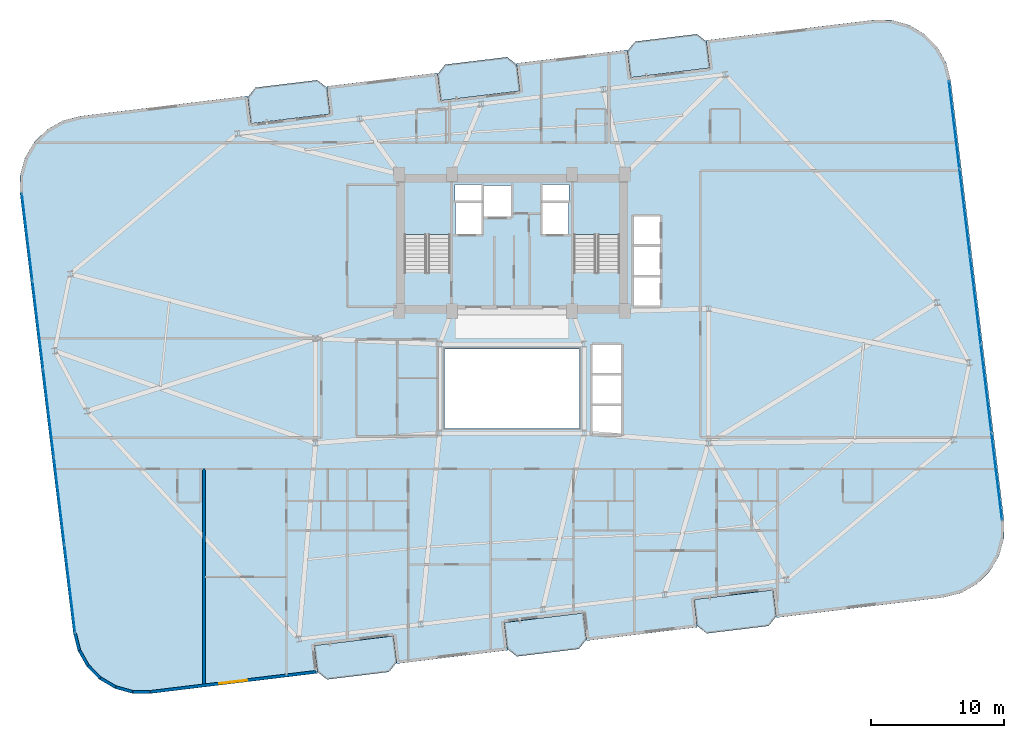
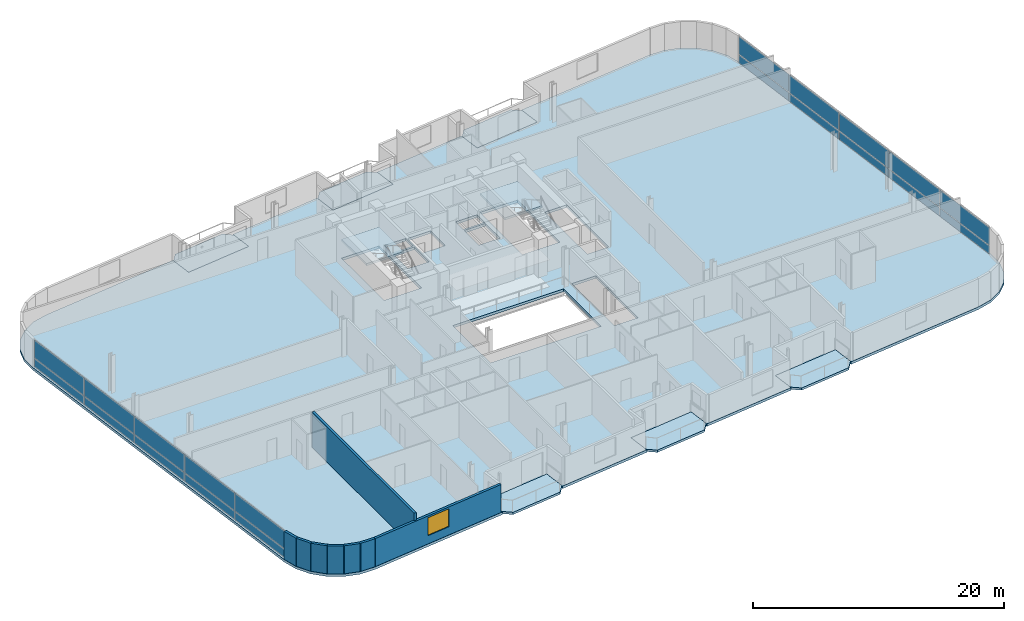
# One storey, part 13 of 23: 20 plates, 9 slabs, 8 walls, 1 window, 1 opening, 4 elements without a shape of their own.
"""IFC4 building model written with IfcOpenShell, lengths in metres."""

from ifc_helpers import new_model, si_unit, direction, frame, frame_2d, origin, origin_2d, place, context, subcontext, project, spatial, polyline, rectangle, outline, extrude, source, transform, mapped, material, layer, layer_set, type_object, element, fill, aggregate, save


model = new_model("IFC4")

# Units and contexts
model_context = context("Model", 3, precision=1e-05, world=origin(), true_north=direction((0.0, 1.0)))
body_context = subcontext(model_context, "Body", "Model", "MODEL_VIEW")
ifc_project = project(units=[si_unit("LENGTHUNIT", "METRE"), si_unit("AREAUNIT", "SQUARE_METRE"), si_unit("VOLUMEUNIT", "CUBIC_METRE"), si_unit("PLANEANGLEUNIT", "RADIAN"), si_unit("MASSUNIT", "GRAM", prefix="KILO")], contexts=[model_context])

# Site, building, storey
site_placement = place(None, origin())
site = spatial("IfcSite", under=ifc_project, at=site_placement, CompositionType="ELEMENT")
building_placement = place(site_placement, origin())
building = spatial("IfcBuilding", under=site, at=building_placement, Name="Varnelok Gate Tower", CompositionType="ELEMENT")
storey_placement = place(building_placement, frame((0.0, 0.0, 170.89990234375)))
storey = spatial("IfcBuildingStorey", under=building, at=storey_placement, Name="L43", CompositionType="ELEMENT", Elevation=170.89990234375)

# Slabs
ifc_material_1 = material(Name="Concrete C45/55", Category="concrete")
ifc_layer_1 = layer(ifc_material_1, 0.219970703125)
ifc_layer_set_1 = layer_set([ifc_layer_1], Name="Concrete C45/55")
slab_type_1 = type_object("IfcSlabType", Name="SLB-BALC-220", PredefinedType="FLOOR", material=ifc_layer_set_1)
slab_1_placement = place(storey_placement, frame((0.0, 0.0, -0.219970703125)))
element("IfcSlab", 1, at=slab_1_placement, inside=storey, type_object=slab_type_1, Name="L43 South Hollow Balcony 1", PredefinedType="FLOOR", context=body_context, shape_type="SweptSolid", body=[
    extrude(outline(polyline([(24.550048828125, 1.564453125), (25.2734375, 0.997314453125), (29.939208984375, 1.56298828125), (30.50634765625, 2.28662109375), (30.265625, 4.27197265625), (24.309326171875, 3.5498046875), (24.550048828125, 1.564453125)])), origin(), (0.0, 0.0, 1.0), 0.219970703125),
])
slab_2_placement = place(storey_placement, frame((0.0, 0.0, -0.219970703125)))
element("IfcSlab", 2, at=slab_2_placement, inside=storey, type_object=slab_type_1, Name="L43 South Hollow Balcony 2", PredefinedType="FLOOR", context=body_context, shape_type="SweptSolid", body=[
    extrude(outline(polyline([(38.84521484375, 3.29736328125), (39.56884765625, 2.73046875), (44.234619140625, 3.2958984375), (44.8017578125, 4.01953125), (44.56103515625, 6.0048828125), (38.6044921875, 5.282958984375), (38.84521484375, 3.29736328125)])), origin(), (0.0, 0.0, 1.0), 0.219970703125),
])
slab_3_placement = place(storey_placement, frame((0.0, 0.0, -0.219970703125)))
element("IfcSlab", 3, at=slab_3_placement, inside=storey, type_object=slab_type_1, Name="L43 South Hollow Balcony 3", PredefinedType="FLOOR", context=body_context, shape_type="SweptSolid", body=[
    extrude(outline(polyline([(53.140625, 5.030517578125), (53.8642578125, 4.46337890625), (58.530029296875, 5.02880859375), (59.09716796875, 5.75244140625), (58.8564453125, 7.73779296875), (52.89990234375, 7.015869140625), (53.140625, 5.030517578125)])), origin(), (0.0, 0.0, 1.0), 0.219970703125),
])
slab_4_placement = place(storey_placement, frame((0.0, 0.0, -0.219970703125)))
element("IfcSlab", 4, at=slab_4_placement, inside=storey, type_object=slab_type_1, Name="L43 North Hollow Balcony 1", PredefinedType="FLOOR", context=body_context, shape_type="SweptSolid", body=[
    extrude(outline(polyline([(19.543701171875, 42.862060546875), (25.5, 43.584228515625), (25.25927734375, 45.569580078125), (24.535888671875, 46.13671875), (19.8701171875, 45.571044921875), (19.302978515625, 44.84765625), (19.543701171875, 42.862060546875)])), origin(), (0.0, 0.0, 1.0), 0.219970703125),
])
slab_5_placement = place(storey_placement, frame((0.0, 0.0, -0.219970703125)))
element("IfcSlab", 5, at=slab_5_placement, inside=storey, type_object=slab_type_1, Name="L43 North Hollow Balcony 2", PredefinedType="FLOOR", context=body_context, shape_type="SweptSolid", body=[
    extrude(outline(polyline([(33.839111328125, 44.59521484375), (39.79541015625, 45.317138671875), (39.5546875, 47.302490234375), (38.831298828125, 47.86962890625), (34.165283203125, 47.303955078125), (33.598388671875, 46.58056640625), (33.839111328125, 44.59521484375)])), origin(), (0.0, 0.0, 1.0), 0.219970703125),
])
slab_6_placement = place(storey_placement, frame((0.0, 0.0, -0.219970703125)))
element("IfcSlab", 6, at=slab_6_placement, inside=storey, type_object=slab_type_1, Name="L43 North Hollow Balcony 3", PredefinedType="FLOOR", context=body_context, shape_type="SweptSolid", body=[
    extrude(outline(polyline([(48.13427734375, 46.327880859375), (54.0908203125, 47.050048828125), (53.85009765625, 49.03564453125), (53.12646484375, 49.6025390625), (48.460693359375, 49.037109375), (47.8935546875, 48.3134765625), (48.13427734375, 46.327880859375)])), origin(), (0.0, 0.0, 1.0), 0.219970703125),
])

# Stair, slab
ifc_material_2 = material(Name="Concrete C50/60", Category="concrete")
stair_type = type_object("IfcStairType", Name="STR-CORE-1650", PredefinedType="HALF_TURN_STAIR", material=ifc_material_2)
stair_1_placement = place(storey_placement, origin())
stair_1 = element("IfcStair", 7, at=stair_1_placement, inside=storey, type_object=stair_type, Name="L43 Exit Stair ST-1", PredefinedType="HALF_TURN_STAIR")
ifc_layer_2 = layer(ifc_material_1, 0.199951171875)
ifc_layer_set_2 = layer_set([ifc_layer_2], Name="Concrete C45/55")
slab_type_2 = type_object("IfcSlabType", Name="SLB-LAND-200", PredefinedType="LANDING", material=ifc_layer_set_2)
slab_7_placement = place(storey_placement, frame((0.0, 0.0, 1.650146484375)))
slab_7 = element("IfcSlab", 8, at=slab_7_placement, type_object=slab_type_2, Name="ST-1 landing 1", PredefinedType="LANDING", context=body_context, shape_type="SweptSolid", body=[
    extrude(outline(polyline([(34.550048828125, 34.5), (34.550048828125, 38.449951171875), (31.10009765625, 38.449951171875), (31.10009765625, 34.5), (34.550048828125, 34.5)])), origin(), (0.0, 0.0, 1.0), 0.199951171875),
])
aggregate(stair_1, [slab_7])

stair_2_placement = place(storey_placement, origin())
stair_2 = element("IfcStair", 9, at=stair_2_placement, inside=storey, type_object=stair_type, Name="L43 Exit Stair ST-2", PredefinedType="HALF_TURN_STAIR")
slab_8_placement = place(storey_placement, frame((0.0, 0.0, 1.650146484375)))
slab_8 = element("IfcSlab", 10, at=slab_8_placement, type_object=slab_type_2, Name="ST-2 landing 1", PredefinedType="LANDING", context=body_context, shape_type="SweptSolid", body=[
    extrude(outline(polyline([(47.300048828125, 34.5), (47.300048828125, 38.449951171875), (43.85009765625, 38.449951171875), (43.85009765625, 34.5), (47.300048828125, 34.5)])), origin(), (0.0, 0.0, 1.0), 0.199951171875),
])
aggregate(stair_2, [slab_8])

# Slab
ifc_layer_3 = layer(ifc_material_2, 0.25)
ifc_layer_set_3 = layer_set([ifc_layer_3], Name="Concrete C50/60")
slab_type_3 = type_object("IfcSlabType", Name="SLB-TYP-250", PredefinedType="FLOOR", material=ifc_layer_set_3)
slab_9_placement = place(storey_placement, frame((0.0, 0.0, -0.25)))
element("IfcSlab", 11, at=slab_9_placement, inside=storey, type_object=slab_type_3, Name="L43 Structural Floor Slab", PredefinedType="FLOOR", context=body_context, shape_type="SweptSolid", body=[
    extrude(outline(polyline([(6.166259765625, 4.47314453125), (6.504150390625, 3.158447265625), (7.1708984375, 1.975830078125), (8.120849609375, 1.006103515625), (9.289306640625, 0.3154296875), (10.596923828125, -0.04931640625), (11.954345703125, -0.063232421875), (22.87451171875, 1.260498046875), (24.56201171875, 1.465087890625), (24.309326171875, 3.5498046875), (30.265625, 4.27197265625), (30.518310546875, 2.187255859375), (38.857421875, 3.197998046875), (38.6044921875, 5.282958984375), (44.56103515625, 6.0048828125), (44.813720703125, 3.920166015625), (53.152587890625, 4.93115234375), (52.89990234375, 7.015869140625), (58.8564453125, 7.73779296875), (59.109130859375, 5.6533203125), (60.796630859375, 5.85791015625), (71.716796875, 7.181396484375), (73.031494140625, 7.519287109375), (74.214111328125, 8.18603515625), (75.183837890625, 9.135986328125), (75.87451171875, 10.3046875), (76.2392578125, 11.612060546875), (76.253173828125, 12.969482421875), (72.233642578125, 46.126708984375), (71.895751953125, 47.441650390625), (71.229248046875, 48.6240234375), (70.279296875, 49.59375), (69.110595703125, 50.284423828125), (67.802978515625, 50.6494140625), (66.44580078125, 50.6630859375), (55.525634765625, 49.33935546875), (53.837890625, 49.134765625), (54.0908203125, 47.050048828125), (48.13427734375, 46.327880859375), (47.881591796875, 48.412841796875), (39.54248046875, 47.40185546875), (39.79541015625, 45.317138671875), (33.839111328125, 44.59521484375), (33.586181640625, 46.6796875), (25.247314453125, 45.6689453125), (25.5, 43.584228515625), (19.543701171875, 42.862060546875), (19.291015625, 44.94677734375), (17.603271484375, 44.7421875), (6.68310546875, 43.41845703125), (5.368408203125, 43.08056640625), (4.18603515625, 42.413818359375), (3.21630859375, 41.464111328125), (2.525390625, 40.29541015625), (2.16064453125, 38.98779296875), (2.146728515625, 37.630615234375), (6.166259765625, 4.47314453125)]), holes=[polyline([(34.550048828125, 31.679931640625), (34.550048828125, 38.449951171875), (31.10009765625, 38.449951171875), (31.10009765625, 31.679931640625), (34.550048828125, 31.679931640625)]), polyline([(47.300048828125, 31.679931640625), (47.300048828125, 38.449951171875), (43.85009765625, 38.449951171875), (43.85009765625, 31.679931640625), (47.300048828125, 31.679931640625)]), polyline([(34.949951171875, 34.550048828125), (36.89990234375, 34.550048828125), (36.89990234375, 36.89990234375), (34.949951171875, 36.89990234375), (34.949951171875, 34.550048828125)]), polyline([(41.5, 34.550048828125), (43.449951171875, 34.550048828125), (43.449951171875, 36.89990234375), (41.5, 36.89990234375), (41.5, 34.550048828125)]), polyline([(37.050048828125, 35.85009765625), (39.14990234375, 35.85009765625), (39.14990234375, 38.199951171875), (37.050048828125, 38.199951171875), (37.050048828125, 35.85009765625)]), polyline([(48.35009765625, 29.14990234375), (50.35009765625, 29.14990234375), (50.35009765625, 35.89990234375), (48.35009765625, 35.89990234375), (48.35009765625, 29.14990234375)]), polyline([(45.25, 19.449951171875), (47.449951171875, 19.449951171875), (47.449951171875, 26.199951171875), (45.25, 26.199951171875), (45.25, 19.449951171875)]), polyline([(34.919921875, 37.080078125), (36.89990234375, 37.080078125), (36.89990234375, 38.280029296875), (34.919921875, 38.280029296875), (34.919921875, 37.080078125)]), polyline([(41.5, 37.080078125), (43.47998046875, 37.080078125), (43.47998046875, 38.280029296875), (41.5, 38.280029296875), (41.5, 37.080078125)]), polyline([(34.10009765625, 19.89990234375), (44.300048828125, 19.89990234375), (44.300048828125, 25.89990234375), (34.10009765625, 25.89990234375), (34.10009765625, 19.89990234375)])]), origin(), (0.0, 0.0, 1.0), 0.25),
])

# Curtain wall, plates
ifc_material_3 = material(Name="Anodized Aluminum Alloy 6063-T6", Category="aluminium")
ifc_layer_4 = layer(ifc_material_3, 0.179931640625)
ifc_layer_set_4 = layer_set([ifc_layer_4], Name="Anodized Aluminum Alloy 6063-T6")
curtain_wall_type = type_object("IfcCurtainWallType", Name="CW4-RESIDENCE-VISION", PredefinedType="USERDEFINED", material=ifc_layer_set_4)
curtain_wall_1_placement = place(storey_placement, origin())
curtain_wall_1 = element("IfcCurtainWall", 12, at=curtain_wall_1_placement, inside=storey, type_object=curtain_wall_type, Name="L43 West End Vision Curtain Wall", ObjectType="UNITISED CURTAIN WALL", PredefinedType="USERDEFINED")
ifc_material_4 = material(Name="Low-E Laminated Double Glazing IGU", Category="glass")
ifc_layer_5 = layer(ifc_material_4, 0.035888671875)
ifc_layer_set_5 = layer_set([ifc_layer_5], Name="Low-E Laminated Double Glazing IGU")
plate_type = type_object("IfcPlateType", Name="CW-PNL-IGU36", PredefinedType="CURTAIN_PANEL", material=ifc_layer_set_5)
shared_shape_1 = source(origin(), body_context, "Body", "SweptSolid", [
    extrude(rectangle(XDim=6.5673828125, YDim=0.035888671875, at=origin_2d()), origin(), (0.0, 0.0, 1.0), 0.78759765625),
])
plate_1_placement = place(storey_placement, frame((5.901123046875, 7.824462890625, 0.074951171875), z_axis=(0.0, 0.0, 1.0), x_axis=(-0.120344511371, 0.992732188751, 0.0)))
plate_1 = element("IfcPlate", 13, at=plate_1_placement, type_object=plate_type, Name="CW4 panel 1.1", PredefinedType="CURTAIN_PANEL", context=body_context, shape_type="MappedRepresentation", body=[
    mapped(shared_shape_1, transform((0.0, 0.0, 0.0), scale=1.0)),
])
plate_2_placement = place(storey_placement, frame((2.68994140625, 34.31298828125, 0.074951171875), z_axis=(0.0, 0.0, 1.0), x_axis=(-0.120344511371, 0.992732188751, 0.0)))
plate_2 = element("IfcPlate", 14, at=plate_2_placement, type_object=plate_type, Name="CW4 panel 5.1", PredefinedType="CURTAIN_PANEL", context=body_context, shape_type="MappedRepresentation", body=[
    mapped(shared_shape_1, transform((0.0, 0.0, 0.0), scale=1.0)),
])

curtain_wall_2_placement = place(storey_placement, origin())
curtain_wall_2 = element("IfcCurtainWall", 15, at=curtain_wall_2_placement, inside=storey, type_object=curtain_wall_type, Name="L43 East End Vision Curtain Wall", ObjectType="UNITISED CURTAIN WALL", PredefinedType="USERDEFINED")
plate_3_placement = place(storey_placement, frame((72.4990234375, 42.775634765625, 0.074951171875), z_axis=(0.0, 0.0, 1.0), x_axis=(0.120344511371, -0.992732188751, 0.0)))
plate_3 = element("IfcPlate", 16, at=plate_3_placement, type_object=plate_type, Name="CW4 panel 1.1", PredefinedType="CURTAIN_PANEL", context=body_context, shape_type="MappedRepresentation", body=[
    mapped(shared_shape_1, transform((0.0, 0.0, 0.0), scale=1.0)),
])
plate_4_placement = place(storey_placement, frame((75.7099609375, 16.287109375, 0.074951171875), z_axis=(0.0, 0.0, 1.0), x_axis=(0.120344511371, -0.992732188751, 0.0)))
plate_4 = element("IfcPlate", 17, at=plate_4_placement, type_object=plate_type, Name="CW4 panel 5.1", PredefinedType="CURTAIN_PANEL", context=body_context, shape_type="MappedRepresentation", body=[
    mapped(shared_shape_1, transform((0.0, 0.0, 0.0), scale=1.0)),
])

# Plate
shared_shape_2 = source(origin(), body_context, "Body", "SweptSolid", [
    extrude(rectangle(XDim=6.5673828125, YDim=0.035888671875, at=origin_2d()), origin(), (0.0, 0.0, 1.0), 1.717529296875),
])
plate_5_placement = place(storey_placement, frame((5.901123046875, 7.824462890625, 0.9375), z_axis=(0.0, 0.0, 1.0), x_axis=(-0.120344511371, 0.992732188751, 0.0)))
plate_5 = element("IfcPlate", 18, at=plate_5_placement, type_object=plate_type, Name="CW4 panel 1.2", PredefinedType="CURTAIN_PANEL", context=body_context, shape_type="MappedRepresentation", body=[
    mapped(shared_shape_2, transform((0.0, 0.0, 0.0), scale=1.0)),
])

plate_6_placement = place(storey_placement, frame((2.68994140625, 34.31298828125, 0.9375), z_axis=(0.0, 0.0, 1.0), x_axis=(-0.120344511371, 0.992732188751, 0.0)))
plate_6 = element("IfcPlate", 19, at=plate_6_placement, type_object=plate_type, Name="CW4 panel 5.2", PredefinedType="CURTAIN_PANEL", context=body_context, shape_type="MappedRepresentation", body=[
    mapped(shared_shape_2, transform((0.0, 0.0, 0.0), scale=1.0)),
])

plate_7_placement = place(storey_placement, frame((72.4990234375, 42.775634765625, 0.9375), z_axis=(0.0, 0.0, 1.0), x_axis=(0.120344511371, -0.992732188751, 0.0)))
plate_7 = element("IfcPlate", 20, at=plate_7_placement, type_object=plate_type, Name="CW4 panel 1.2", PredefinedType="CURTAIN_PANEL", context=body_context, shape_type="MappedRepresentation", body=[
    mapped(shared_shape_2, transform((0.0, 0.0, 0.0), scale=1.0)),
])

plate_8_placement = place(storey_placement, frame((75.7099609375, 16.287109375, 0.9375), z_axis=(0.0, 0.0, 1.0), x_axis=(0.120344511371, -0.992732188751, 0.0)))
plate_8 = element("IfcPlate", 21, at=plate_8_placement, type_object=plate_type, Name="CW4 panel 5.2", PredefinedType="CURTAIN_PANEL", context=body_context, shape_type="MappedRepresentation", body=[
    mapped(shared_shape_2, transform((0.0, 0.0, 0.0), scale=1.0)),
])

shared_shape_3 = source(origin(), body_context, "Body", "SweptSolid", [
    extrude(rectangle(XDim=6.60498046875, YDim=0.035888671875, at=origin_2d()), origin(), (0.0, 0.0, 1.0), 0.78759765625),
])
plate_9_placement = place(storey_placement, frame((5.099365234375, 14.437255859375, 0.074951171875), z_axis=(0.0, 0.0, 1.0), x_axis=(-0.120344511371, 0.992732188751, 0.0)))
plate_9 = element("IfcPlate", 22, at=plate_9_placement, type_object=plate_type, Name="CW4 panel 2.1", PredefinedType="CURTAIN_PANEL", context=body_context, shape_type="MappedRepresentation", body=[
    mapped(shared_shape_3, transform((0.0, 0.0, 0.0), scale=1.0)),
])

plate_10_placement = place(storey_placement, frame((4.295654296875, 21.068603515625, 0.074951171875), z_axis=(0.0, 0.0, 1.0), x_axis=(-0.120344511371, 0.992732188751, 0.0)))
plate_10 = element("IfcPlate", 23, at=plate_10_placement, type_object=plate_type, Name="CW4 panel 3.1", PredefinedType="CURTAIN_PANEL", context=body_context, shape_type="MappedRepresentation", body=[
    mapped(shared_shape_3, transform((0.0, 0.0, 0.0), scale=1.0)),
])

plate_11_placement = place(storey_placement, frame((3.49169921875, 27.7001953125, 0.074951171875), z_axis=(0.0, 0.0, 1.0), x_axis=(-0.120344511371, 0.992732188751, 0.0)))
plate_11 = element("IfcPlate", 24, at=plate_11_placement, type_object=plate_type, Name="CW4 panel 4.1", PredefinedType="CURTAIN_PANEL", context=body_context, shape_type="MappedRepresentation", body=[
    mapped(shared_shape_3, transform((0.0, 0.0, 0.0), scale=1.0)),
])

plate_12_placement = place(storey_placement, frame((73.300537109375, 36.162841796875, 0.074951171875), z_axis=(0.0, 0.0, 1.0), x_axis=(0.120344511371, -0.992732188751, 0.0)))
plate_12 = element("IfcPlate", 25, at=plate_12_placement, type_object=plate_type, Name="CW4 panel 2.1", PredefinedType="CURTAIN_PANEL", context=body_context, shape_type="MappedRepresentation", body=[
    mapped(shared_shape_3, transform((0.0, 0.0, 0.0), scale=1.0)),
])

plate_13_placement = place(storey_placement, frame((74.1044921875, 29.53125, 0.074951171875), z_axis=(0.0, 0.0, 1.0), x_axis=(0.120344511371, -0.992732188751, 0.0)))
plate_13 = element("IfcPlate", 26, at=plate_13_placement, type_object=plate_type, Name="CW4 panel 3.1", PredefinedType="CURTAIN_PANEL", context=body_context, shape_type="MappedRepresentation", body=[
    mapped(shared_shape_3, transform((0.0, 0.0, 0.0), scale=1.0)),
])

plate_14_placement = place(storey_placement, frame((74.908447265625, 22.89990234375, 0.074951171875), z_axis=(0.0, 0.0, 1.0), x_axis=(0.120344511371, -0.992732188751, 0.0)))
plate_14 = element("IfcPlate", 27, at=plate_14_placement, type_object=plate_type, Name="CW4 panel 4.1", PredefinedType="CURTAIN_PANEL", context=body_context, shape_type="MappedRepresentation", body=[
    mapped(shared_shape_3, transform((0.0, 0.0, 0.0), scale=1.0)),
])

shared_shape_4 = source(origin(), body_context, "Body", "SweptSolid", [
    extrude(rectangle(XDim=6.60498046875, YDim=0.035888671875, at=origin_2d()), origin(), (0.0, 0.0, 1.0), 1.717529296875),
])
plate_15_placement = place(storey_placement, frame((5.099365234375, 14.437255859375, 0.9375), z_axis=(0.0, 0.0, 1.0), x_axis=(-0.120344511371, 0.992732188751, 0.0)))
plate_15 = element("IfcPlate", 28, at=plate_15_placement, type_object=plate_type, Name="CW4 panel 2.2", PredefinedType="CURTAIN_PANEL", context=body_context, shape_type="MappedRepresentation", body=[
    mapped(shared_shape_4, transform((0.0, 0.0, 0.0), scale=1.0)),
])

plate_16_placement = place(storey_placement, frame((4.295654296875, 21.068603515625, 0.9375), z_axis=(0.0, 0.0, 1.0), x_axis=(-0.120344511371, 0.992732188751, 0.0)))
plate_16 = element("IfcPlate", 29, at=plate_16_placement, type_object=plate_type, Name="CW4 panel 3.2", PredefinedType="CURTAIN_PANEL", context=body_context, shape_type="MappedRepresentation", body=[
    mapped(shared_shape_4, transform((0.0, 0.0, 0.0), scale=1.0)),
])

plate_17_placement = place(storey_placement, frame((3.49169921875, 27.7001953125, 0.9375), z_axis=(0.0, 0.0, 1.0), x_axis=(-0.120344511371, 0.992732188751, 0.0)))
plate_17 = element("IfcPlate", 30, at=plate_17_placement, type_object=plate_type, Name="CW4 panel 4.2", PredefinedType="CURTAIN_PANEL", context=body_context, shape_type="MappedRepresentation", body=[
    mapped(shared_shape_4, transform((0.0, 0.0, 0.0), scale=1.0)),
])

aggregate(curtain_wall_1, [plate_1, plate_5, plate_9, plate_15, plate_10, plate_16, plate_11, plate_17, plate_2, plate_6])

plate_18_placement = place(storey_placement, frame((73.300537109375, 36.162841796875, 0.9375), z_axis=(0.0, 0.0, 1.0), x_axis=(0.120344511371, -0.992732188751, 0.0)))
plate_18 = element("IfcPlate", 31, at=plate_18_placement, type_object=plate_type, Name="CW4 panel 2.2", PredefinedType="CURTAIN_PANEL", context=body_context, shape_type="MappedRepresentation", body=[
    mapped(shared_shape_4, transform((0.0, 0.0, 0.0), scale=1.0)),
])

plate_19_placement = place(storey_placement, frame((74.1044921875, 29.53125, 0.9375), z_axis=(0.0, 0.0, 1.0), x_axis=(0.120344511371, -0.992732188751, 0.0)))
plate_19 = element("IfcPlate", 32, at=plate_19_placement, type_object=plate_type, Name="CW4 panel 3.2", PredefinedType="CURTAIN_PANEL", context=body_context, shape_type="MappedRepresentation", body=[
    mapped(shared_shape_4, transform((0.0, 0.0, 0.0), scale=1.0)),
])

plate_20_placement = place(storey_placement, frame((74.908447265625, 22.89990234375, 0.9375), z_axis=(0.0, 0.0, 1.0), x_axis=(0.120344511371, -0.992732188751, 0.0)))
plate_20 = element("IfcPlate", 33, at=plate_20_placement, type_object=plate_type, Name="CW4 panel 4.2", PredefinedType="CURTAIN_PANEL", context=body_context, shape_type="MappedRepresentation", body=[
    mapped(shared_shape_4, transform((0.0, 0.0, 0.0), scale=1.0)),
])

aggregate(curtain_wall_2, [plate_3, plate_7, plate_12, plate_18, plate_13, plate_19, plate_14, plate_20, plate_4, plate_8])

# Walls
ifc_layer_6 = layer(ifc_material_1, 0.219970703125)
ifc_layer_set_6 = layer_set([ifc_layer_6], Name="Concrete C45/55")
wall_type_1 = type_object("IfcWallType", Name="EW-BALC-220", PredefinedType="SOLIDWALL", material=ifc_layer_set_6)
wall_1_placement = place(storey_placement, frame((6.286376953125, 4.48779296875, 0.0), z_axis=(0.0, 0.0, 1.0), x_axis=(0.248942347653, -0.968518305219, 0.0)))
element("IfcWall", 34, at=wall_1_placement, inside=storey, type_object=wall_type_1, Name="L43 Perimeter Facade Closure Wall 1", PredefinedType="SOLIDWALL", context=body_context, shape_type="SweptSolid", body=[
    extrude(rectangle(XDim=1.325927734375, YDim=0.219970703125, at=frame_2d((0.6630859375, 0.0))), origin(), (0.0, 0.0, 1.0), 2.72998046875),
])
for number, where, z_axis, x_axis, name in (
    (35, (6.62890625, 3.181884765625, 0.0), (0.0, 0.0, 1.0), (0.490956091431, -0.871184318205, 0.0), "L43 Perimeter Facade Closure Wall 2"),
    (36, (7.28515625, 2.03076171875, 0.0), (0.0, 0.0, 1.0), (0.699844331926, -0.714295394827, 0.0), "L43 Perimeter Facade Closure Wall 3"),
    (37, (8.217041015625, 1.088623046875, 0.0), (0.0, 0.0, 1.0), (0.860885425627, -0.508798863936, 0.0), "L43 Perimeter Facade Closure Wall 4"),
):
    element("IfcWall", number, at=place(storey_placement, frame(where, z_axis=z_axis, x_axis=x_axis)), inside=storey, type_object=wall_type_1, Name=name, PredefinedType="SOLIDWALL", context=body_context, shape_type="SweptSolid", body=[
        extrude(rectangle(XDim=1.30078125, YDim=0.219970703125, at=frame_2d((0.650390625, 0.0))), origin(), (0.0, 0.0, 1.0), 2.72998046875),
    ])
wall_2_placement = place(storey_placement, frame((9.36083984375, 0.420166015625, 0.0), z_axis=(0.0, 0.0, 1.0), x_axis=(0.963218895288, -0.268717992997, 0.0)))
element("IfcWall", 38, at=wall_2_placement, inside=storey, type_object=wall_type_1, Name="L43 Perimeter Facade Closure Wall 5", PredefinedType="SOLIDWALL", context=body_context, shape_type="SweptSolid", body=[
    extrude(rectangle(XDim=1.301025390625, YDim=0.219970703125, at=frame_2d((0.650390625, 0.0))), origin(), (0.0, 0.0, 1.0), 2.72998046875),
])
wall_3_placement = place(storey_placement, frame((10.638916015625, 0.0703125, 0.0), z_axis=(0.0, 0.0, 1.0), x_axis=(0.999947377741, -0.010258740119, 0.0)))
element("IfcWall", 39, at=wall_3_placement, inside=storey, type_object=wall_type_1, Name="L43 Perimeter Facade Closure Wall 6", PredefinedType="SOLIDWALL", context=body_context, shape_type="SweptSolid", body=[
    extrude(rectangle(XDim=1.308837890625, YDim=0.219970703125, at=frame_2d((0.654296875, 0.0))), origin(), (0.0, 0.0, 1.0), 2.72998046875),
])

# Wall, opening, window
wall_4_placement = place(storey_placement, frame((11.972412109375, 0.059814453125, 0.0), z_axis=(0.0, 0.0, 1.0), x_axis=(0.992732021049, 0.120345894751, 0.0)))
wall_4 = element("IfcWall", 40, at=wall_4_placement, inside=storey, type_object=wall_type_1, Name="L43 Perimeter Facade Closure Wall 7", PredefinedType="SOLIDWALL", context=body_context, shape_type="SweptSolid", body=[
    extrude(rectangle(XDim=12.54736328125, YDim=0.219970703125, at=frame_2d((6.273681640625, 0.0))), origin(), (0.0, 0.0, 1.0), 2.72998046875),
])
opening_placement = place(wall_4_placement, frame((5.2236328125, 0.0, 0.800048828125)))
opening = element("IfcOpeningElement", 41, at=opening_placement, cuts=wall_4, Name="Opening WN4", PredefinedType="OPENING", context=body_context, shape_type="SweptSolid", body=[
    extrude(rectangle(XDim=2.10009765625, YDim=1.75, at=frame_2d((1.050048828125, 0.875))), frame((0.0, 0.119873046875, 0.0), z_axis=(0.0, -1.0, 0.0), x_axis=(1.0, 0.0, 0.0)), (0.0, 0.0, 1.0), 0.239990234375),
])
window_type = type_object("IfcWindowType", Name="WN-SUI-2100", PartitioningType="SINGLE_PANEL", PredefinedType="WINDOW", material=ifc_material_4)
window_placement = place(opening_placement, origin())
window = element("IfcWindow", 42, at=window_placement, inside=storey, type_object=window_type, Name="L43 Perimeter Vision Window 7", OverallHeight=1.75, OverallWidth=2.10009765625, PartitioningType="SINGLE_PANEL", PredefinedType="WINDOW", context=body_context, shape_type="SweptSolid", body=[
    extrude(rectangle(XDim=2.10009765625, YDim=1.75, at=frame_2d((1.050048828125, 0.875))), frame((0.0, 0.030029296875, 0.0), z_axis=(0.0, -1.0, 0.0), x_axis=(1.0, 0.0, 0.0)), (0.0, 0.0, 1.0), 0.06005859375),
])
fill(opening, window)

# Wall
ifc_material_5 = material(Name="Gypsum Plasterboard Acoustic Partition", Category="gypsum")
ifc_layer_7 = layer(ifc_material_5, 0.205078125)
ifc_layer_set_7 = layer_set([ifc_layer_7], Name="Gypsum Plasterboard Acoustic Partition")
wall_type_2 = type_object("IfcWallType", Name="PW-PARTY-200", PredefinedType="PARTITIONING", material=ifc_layer_set_7)
wall_5_placement = place(storey_placement, frame((16.0, 0.568359375, 0.0), z_axis=(0.0, 0.0, 1.0), x_axis=(0.0, 1.0, 0.0)))
element("IfcWall", 43, at=wall_5_placement, inside=storey, type_object=wall_type_2, Name="L43 South Party Wall 1", PredefinedType="PARTITIONING", context=body_context, shape_type="SweptSolid", body=[
    extrude(rectangle(XDim=16.28173828125, YDim=0.205078125, at=frame_2d((8.140869140625, 0.0))), origin(), (0.0, 0.0, 1.0), 3.4501953125),
])

save(model, "model.ifc")
